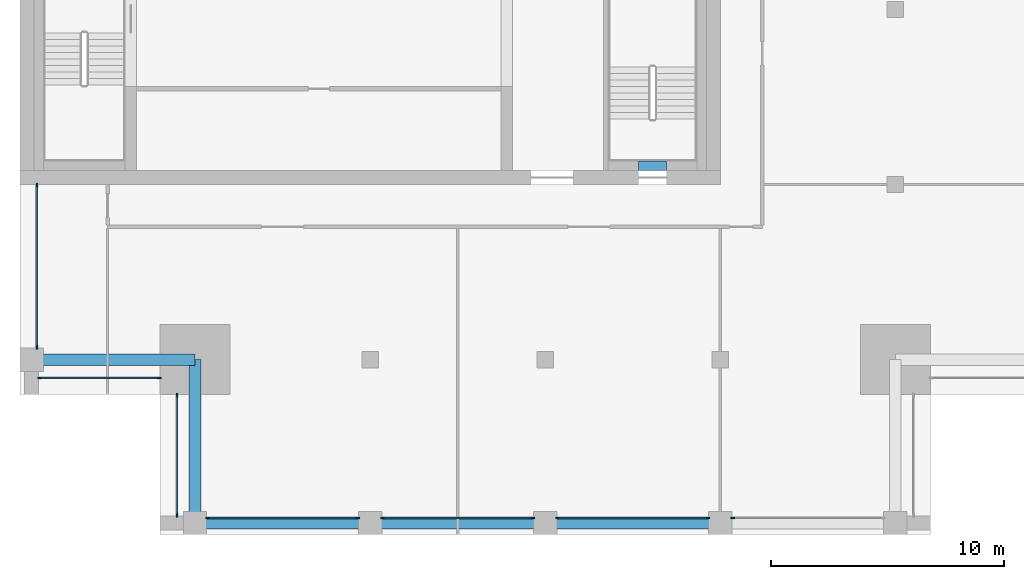
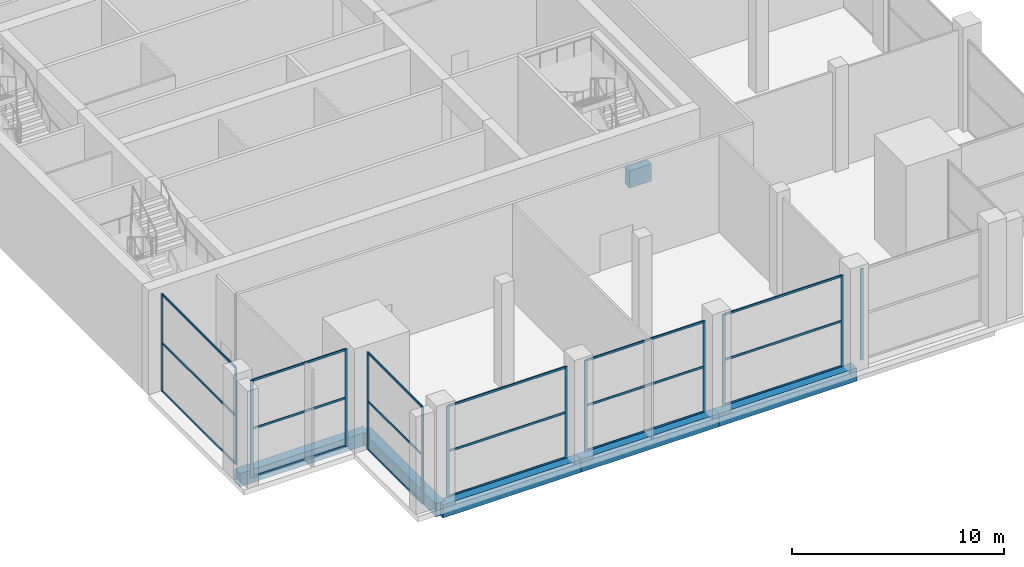
# One storey, part 2 of 15: 31 members, 6 beams, 7 elements without a shape of their own.
"""IFC4 building model written with IfcOpenShell, lengths in metres."""

from ifc_helpers import new_model, si_unit, direction, frame, origin, origin_2d, place, context, subcontext, project, spatial, rectangle, extrude, material, layer, layer_set, material_profile, profile_set, type_object, element, aggregate, save


model = new_model("IFC4")

# Units and contexts
model_context = context("Model", 3, precision=1e-05, world=origin(), true_north=direction((0.0, 1.0)))
body_context = subcontext(model_context, "Body", "Model", "MODEL_VIEW")
ifc_project = project(units=[si_unit("LENGTHUNIT", "METRE"), si_unit("AREAUNIT", "SQUARE_METRE"), si_unit("VOLUMEUNIT", "CUBIC_METRE"), si_unit("PLANEANGLEUNIT", "RADIAN"), si_unit("MASSUNIT", "GRAM", prefix="KILO")], contexts=[model_context])

# Site, building, storey
site_placement = place(None, origin())
site = spatial("IfcSite", under=ifc_project, at=site_placement, CompositionType="ELEMENT")
building_placement = place(site_placement, origin())
building = spatial("IfcBuilding", under=site, at=building_placement, Name="Tamorin Gate", CompositionType="ELEMENT")
storey_placement = place(building_placement, frame((0.0, 0.0, 308.699951171875)))
storey = spatial("IfcBuildingStorey", under=building, at=storey_placement, Name="L76", CompositionType="ELEMENT", Elevation=308.699951171875)

# Curtain wall, members
ifc_material_1 = material(Name="Aluminium mullions and transoms with clear glass", Category="aluminium")
ifc_layer = layer(ifc_material_1, 0.159912109375)
ifc_layer_set = layer_set([ifc_layer], Name="Curtain wall system CW4")
curtain_wall_type = type_object("IfcCurtainWallType", Name="Curtain wall system CW4", PredefinedType="NOTDEFINED", material=ifc_layer_set)
curtain_wall_1_placement = place(storey_placement, origin())
curtain_wall_1 = element("IfcCurtainWall", 1, at=curtain_wall_1_placement, inside=storey, type_object=curtain_wall_type, Name="Curtain wall", PredefinedType="NOTDEFINED")
ifc_material_2 = material(Name="Aluminium", Category="aluminium")
ifc_material_profile_1 = material_profile(ifc_material_2, rectangle(XDim=0.06005859375, YDim=0.159912109375, at=origin_2d()), Name="RECT 60x160")
ifc_profile_set_1 = profile_set([ifc_material_profile_1], Name="Aluminium")
member_type_1 = type_object("IfcMemberType", Name="Aluminium mullion 60x160", PredefinedType="MULLION", material=ifc_profile_set_1)
member_1_placement = place(storey_placement, frame((38.030029296875, 45.719970703125, 0.0), z_axis=(0.0, 0.0, 1.0), x_axis=(0.0, 1.0, 0.0)))
member_1 = element("IfcMember", 2, at=member_1_placement, type_object=member_type_1, Name="CW4 mullion 1", PredefinedType="MULLION", context=body_context, shape_type="SweptSolid", body=[
    extrude(rectangle(XDim=0.06005859375, YDim=0.159912109375, at=origin_2d()), origin(), (0.0, 0.0, 1.0), 5.25),
])
member_2_placement = place(storey_placement, frame((44.469970703125, 45.719970703125, 0.0), z_axis=(0.0, 0.0, 1.0), x_axis=(0.0, 1.0, 0.0)))
member_2 = element("IfcMember", 3, at=member_2_placement, type_object=member_type_1, Name="CW4 mullion 2", PredefinedType="MULLION", context=body_context, shape_type="SweptSolid", body=[
    extrude(rectangle(XDim=0.06005859375, YDim=0.159912109375, at=origin_2d()), origin(), (0.0, 0.0, 1.0), 5.25),
])

curtain_wall_2_placement = place(storey_placement, origin())
curtain_wall_2 = element("IfcCurtainWall", 4, at=curtain_wall_2_placement, inside=storey, type_object=curtain_wall_type, Name="Curtain wall", PredefinedType="NOTDEFINED")
member_3_placement = place(storey_placement, frame((45.530029296875, 45.719970703125, 0.0), z_axis=(0.0, 0.0, 1.0), x_axis=(0.0, 1.0, 0.0)))
member_3 = element("IfcMember", 5, at=member_3_placement, type_object=member_type_1, Name="CW4 mullion 1", PredefinedType="MULLION", context=body_context, shape_type="SweptSolid", body=[
    extrude(rectangle(XDim=0.06005859375, YDim=0.159912109375, at=origin_2d()), origin(), (0.0, 0.0, 1.0), 5.25),
])
member_4_placement = place(storey_placement, frame((51.969970703125, 45.719970703125, 0.0), z_axis=(0.0, 0.0, 1.0), x_axis=(0.0, 1.0, 0.0)))
member_4 = element("IfcMember", 6, at=member_4_placement, type_object=member_type_1, Name="CW4 mullion 2", PredefinedType="MULLION", context=body_context, shape_type="SweptSolid", body=[
    extrude(rectangle(XDim=0.06005859375, YDim=0.159912109375, at=origin_2d()), origin(), (0.0, 0.0, 1.0), 5.25),
])

curtain_wall_3_placement = place(storey_placement, origin())
curtain_wall_3 = element("IfcCurtainWall", 7, at=curtain_wall_3_placement, inside=storey, type_object=curtain_wall_type, Name="Curtain wall", PredefinedType="NOTDEFINED")
member_5_placement = place(storey_placement, frame((53.030029296875, 45.719970703125, 0.0), z_axis=(0.0, 0.0, 1.0), x_axis=(0.0, 1.0, 0.0)))
member_5 = element("IfcMember", 8, at=member_5_placement, type_object=member_type_1, Name="CW4 mullion 1", PredefinedType="MULLION", context=body_context, shape_type="SweptSolid", body=[
    extrude(rectangle(XDim=0.06005859375, YDim=0.159912109375, at=origin_2d()), origin(), (0.0, 0.0, 1.0), 5.25),
])
member_6_placement = place(storey_placement, frame((59.469970703125, 45.719970703125, 0.0), z_axis=(0.0, 0.0, 1.0), x_axis=(0.0, 1.0, 0.0)))
member_6 = element("IfcMember", 9, at=member_6_placement, type_object=member_type_1, Name="CW4 mullion 2", PredefinedType="MULLION", context=body_context, shape_type="SweptSolid", body=[
    extrude(rectangle(XDim=0.06005859375, YDim=0.159912109375, at=origin_2d()), origin(), (0.0, 0.0, 1.0), 5.25),
])

# Curtain wall, member
curtain_wall_4_placement = place(storey_placement, origin())
curtain_wall_4 = element("IfcCurtainWall", 10, at=curtain_wall_4_placement, inside=storey, type_object=curtain_wall_type, Name="Curtain wall", PredefinedType="NOTDEFINED")
member_7_placement = place(storey_placement, frame((60.530029296875, 45.719970703125, 0.0), z_axis=(0.0, 0.0, 1.0), x_axis=(0.0, 1.0, 0.0)))
member_7 = element("IfcMember", 11, at=member_7_placement, type_object=member_type_1, Name="CW4 mullion 1", PredefinedType="MULLION", context=body_context, shape_type="SweptSolid", body=[
    extrude(rectangle(XDim=0.06005859375, YDim=0.159912109375, at=origin_2d()), origin(), (0.0, 0.0, 1.0), 5.25),
])
aggregate(curtain_wall_4, [member_7])

# Curtain wall, members
curtain_wall_5_placement = place(storey_placement, origin())
curtain_wall_5 = element("IfcCurtainWall", 12, at=curtain_wall_5_placement, inside=storey, type_object=curtain_wall_type, Name="Curtain wall", PredefinedType="NOTDEFINED")
member_8_placement = place(storey_placement, frame((30.719970703125, 59.969970703125, 0.0), z_axis=(0.0, 0.0, 1.0), x_axis=(1.0, 0.0, 0.0)))
member_8 = element("IfcMember", 13, at=member_8_placement, type_object=member_type_1, Name="CW4 mullion 1", PredefinedType="MULLION", context=body_context, shape_type="SweptSolid", body=[
    extrude(rectangle(XDim=0.06005859375, YDim=0.159912109375, at=origin_2d()), origin(), (0.0, 0.0, 1.0), 5.60009765625),
])
member_9_placement = place(storey_placement, frame((30.719970703125, 53.030029296875, 0.0), z_axis=(0.0, 0.0, 1.0), x_axis=(1.0, 0.0, 0.0)))
member_9 = element("IfcMember", 14, at=member_9_placement, type_object=member_type_1, Name="CW4 mullion 2", PredefinedType="MULLION", context=body_context, shape_type="SweptSolid", body=[
    extrude(rectangle(XDim=0.06005859375, YDim=0.159912109375, at=origin_2d()), origin(), (0.0, 0.0, 1.0), 5.60009765625),
])

curtain_wall_6_placement = place(storey_placement, origin())
curtain_wall_6 = element("IfcCurtainWall", 15, at=curtain_wall_6_placement, inside=storey, type_object=curtain_wall_type, Name="Curtain wall", PredefinedType="NOTDEFINED")
member_10_placement = place(storey_placement, frame((30.830078125, 51.719970703125, 0.0), z_axis=(0.0, 0.0, 1.0), x_axis=(0.0, 1.0, 0.0)))
member_10 = element("IfcMember", 16, at=member_10_placement, type_object=member_type_1, Name="CW4 mullion 1", PredefinedType="MULLION", context=body_context, shape_type="SweptSolid", body=[
    extrude(rectangle(XDim=0.06005859375, YDim=0.159912109375, at=origin_2d()), origin(), (0.0, 0.0, 1.0), 5.60009765625),
])
member_11_placement = place(storey_placement, frame((35.969970703125, 51.719970703125, 0.0), z_axis=(0.0, 0.0, 1.0), x_axis=(0.0, 1.0, 0.0)))
member_11 = element("IfcMember", 17, at=member_11_placement, type_object=member_type_1, Name="CW4 mullion 2", PredefinedType="MULLION", context=body_context, shape_type="SweptSolid", body=[
    extrude(rectangle(XDim=0.06005859375, YDim=0.159912109375, at=origin_2d()), origin(), (0.0, 0.0, 1.0), 5.60009765625),
])

curtain_wall_7_placement = place(storey_placement, origin())
curtain_wall_7 = element("IfcCurtainWall", 18, at=curtain_wall_7_placement, inside=storey, type_object=curtain_wall_type, Name="Curtain wall", PredefinedType="NOTDEFINED")
member_12_placement = place(storey_placement, frame((36.719970703125, 50.969970703125, 0.0), z_axis=(0.0, 0.0, 1.0), x_axis=(1.0, 0.0, 0.0)))
member_12 = element("IfcMember", 19, at=member_12_placement, type_object=member_type_1, Name="CW4 mullion 1", PredefinedType="MULLION", context=body_context, shape_type="SweptSolid", body=[
    extrude(rectangle(XDim=0.06005859375, YDim=0.159912109375, at=origin_2d()), origin(), (0.0, 0.0, 1.0), 5.60009765625),
])
member_13_placement = place(storey_placement, frame((36.719970703125, 45.830078125, 0.0), z_axis=(0.0, 0.0, 1.0), x_axis=(1.0, 0.0, 0.0)))
member_13 = element("IfcMember", 20, at=member_13_placement, type_object=member_type_1, Name="CW4 mullion 2", PredefinedType="MULLION", context=body_context, shape_type="SweptSolid", body=[
    extrude(rectangle(XDim=0.06005859375, YDim=0.159912109375, at=origin_2d()), origin(), (0.0, 0.0, 1.0), 5.60009765625),
])

# Member
ifc_material_profile_2 = material_profile(ifc_material_2, rectangle(XDim=0.06005859375, YDim=0.1201171875, at=origin_2d()), Name="RECT 60x120")
ifc_profile_set_2 = profile_set([ifc_material_profile_2], Name="Aluminium")
member_type_2 = type_object("IfcMemberType", Name="Aluminium transom 60x120", PredefinedType="USERDEFINED", material=ifc_profile_set_2)
member_14_placement = place(storey_placement, frame((38.06005859375, 45.719970703125, 0.030029296875), z_axis=(1.0, 0.0, 0.0), x_axis=(0.0, 1.0, 0.0)))
member_14 = element("IfcMember", 21, at=member_14_placement, type_object=member_type_2, Name="CW4 transom 1.1", ObjectType="TRANSOM", PredefinedType="USERDEFINED", context=body_context, shape_type="SweptSolid", body=[
    extrude(rectangle(XDim=0.06005859375, YDim=0.1201171875, at=origin_2d()), origin(), (0.0, 0.0, 1.0), 6.3798828125),
])

member_15_placement = place(storey_placement, frame((38.06005859375, 45.719970703125, 2.625), z_axis=(1.0, 0.0, 0.0), x_axis=(0.0, 1.0, 0.0)))
member_15 = element("IfcMember", 22, at=member_15_placement, type_object=member_type_2, Name="CW4 transom 1.2", ObjectType="TRANSOM", PredefinedType="USERDEFINED", context=body_context, shape_type="SweptSolid", body=[
    extrude(rectangle(XDim=0.06005859375, YDim=0.1201171875, at=origin_2d()), origin(), (0.0, 0.0, 1.0), 6.3798828125),
])

member_16_placement = place(storey_placement, frame((38.06005859375, 45.719970703125, 5.219970703125), z_axis=(1.0, 0.0, 0.0), x_axis=(0.0, 1.0, 0.0)))
member_16 = element("IfcMember", 23, at=member_16_placement, type_object=member_type_2, Name="CW4 transom 1.3", ObjectType="TRANSOM", PredefinedType="USERDEFINED", context=body_context, shape_type="SweptSolid", body=[
    extrude(rectangle(XDim=0.06005859375, YDim=0.1201171875, at=origin_2d()), origin(), (0.0, 0.0, 1.0), 6.3798828125),
])

aggregate(curtain_wall_1, [member_1, member_2, member_14, member_15, member_16])

member_17_placement = place(storey_placement, frame((45.56005859375, 45.719970703125, 0.030029296875), z_axis=(1.0, 0.0, 0.0), x_axis=(0.0, 1.0, 0.0)))
member_17 = element("IfcMember", 24, at=member_17_placement, type_object=member_type_2, Name="CW4 transom 1.1", ObjectType="TRANSOM", PredefinedType="USERDEFINED", context=body_context, shape_type="SweptSolid", body=[
    extrude(rectangle(XDim=0.06005859375, YDim=0.1201171875, at=origin_2d()), origin(), (0.0, 0.0, 1.0), 6.3798828125),
])

member_18_placement = place(storey_placement, frame((45.56005859375, 45.719970703125, 2.625), z_axis=(1.0, 0.0, 0.0), x_axis=(0.0, 1.0, 0.0)))
member_18 = element("IfcMember", 25, at=member_18_placement, type_object=member_type_2, Name="CW4 transom 1.2", ObjectType="TRANSOM", PredefinedType="USERDEFINED", context=body_context, shape_type="SweptSolid", body=[
    extrude(rectangle(XDim=0.06005859375, YDim=0.1201171875, at=origin_2d()), origin(), (0.0, 0.0, 1.0), 6.3798828125),
])

member_19_placement = place(storey_placement, frame((45.56005859375, 45.719970703125, 5.219970703125), z_axis=(1.0, 0.0, 0.0), x_axis=(0.0, 1.0, 0.0)))
member_19 = element("IfcMember", 26, at=member_19_placement, type_object=member_type_2, Name="CW4 transom 1.3", ObjectType="TRANSOM", PredefinedType="USERDEFINED", context=body_context, shape_type="SweptSolid", body=[
    extrude(rectangle(XDim=0.06005859375, YDim=0.1201171875, at=origin_2d()), origin(), (0.0, 0.0, 1.0), 6.3798828125),
])

aggregate(curtain_wall_2, [member_3, member_4, member_17, member_18, member_19])

member_20_placement = place(storey_placement, frame((53.06005859375, 45.719970703125, 0.030029296875), z_axis=(1.0, 0.0, 0.0), x_axis=(0.0, 1.0, 0.0)))
member_20 = element("IfcMember", 27, at=member_20_placement, type_object=member_type_2, Name="CW4 transom 1.1", ObjectType="TRANSOM", PredefinedType="USERDEFINED", context=body_context, shape_type="SweptSolid", body=[
    extrude(rectangle(XDim=0.06005859375, YDim=0.1201171875, at=origin_2d()), origin(), (0.0, 0.0, 1.0), 6.3798828125),
])

member_21_placement = place(storey_placement, frame((53.06005859375, 45.719970703125, 2.625), z_axis=(1.0, 0.0, 0.0), x_axis=(0.0, 1.0, 0.0)))
member_21 = element("IfcMember", 28, at=member_21_placement, type_object=member_type_2, Name="CW4 transom 1.2", ObjectType="TRANSOM", PredefinedType="USERDEFINED", context=body_context, shape_type="SweptSolid", body=[
    extrude(rectangle(XDim=0.06005859375, YDim=0.1201171875, at=origin_2d()), origin(), (0.0, 0.0, 1.0), 6.3798828125),
])

member_22_placement = place(storey_placement, frame((53.06005859375, 45.719970703125, 5.219970703125), z_axis=(1.0, 0.0, 0.0), x_axis=(0.0, 1.0, 0.0)))
member_22 = element("IfcMember", 29, at=member_22_placement, type_object=member_type_2, Name="CW4 transom 1.3", ObjectType="TRANSOM", PredefinedType="USERDEFINED", context=body_context, shape_type="SweptSolid", body=[
    extrude(rectangle(XDim=0.06005859375, YDim=0.1201171875, at=origin_2d()), origin(), (0.0, 0.0, 1.0), 6.3798828125),
])

aggregate(curtain_wall_3, [member_5, member_6, member_20, member_21, member_22])

member_23_placement = place(storey_placement, frame((30.719970703125, 59.93994140625, 0.030029296875), z_axis=(0.0, -1.0, 0.0), x_axis=(1.0, 0.0, 0.0)))
member_23 = element("IfcMember", 30, at=member_23_placement, type_object=member_type_2, Name="CW4 transom 1.1", ObjectType="TRANSOM", PredefinedType="USERDEFINED", context=body_context, shape_type="SweptSolid", body=[
    extrude(rectangle(XDim=0.06005859375, YDim=0.1201171875, at=origin_2d()), origin(), (0.0, 0.0, 1.0), 6.8798828125),
])

member_24_placement = place(storey_placement, frame((30.719970703125, 59.93994140625, 2.800048828125), z_axis=(0.0, -1.0, 0.0), x_axis=(1.0, 0.0, 0.0)))
member_24 = element("IfcMember", 31, at=member_24_placement, type_object=member_type_2, Name="CW4 transom 1.2", ObjectType="TRANSOM", PredefinedType="USERDEFINED", context=body_context, shape_type="SweptSolid", body=[
    extrude(rectangle(XDim=0.06005859375, YDim=0.1201171875, at=origin_2d()), origin(), (0.0, 0.0, 1.0), 6.8798828125),
])

member_25_placement = place(storey_placement, frame((30.719970703125, 59.93994140625, 5.570068359375), z_axis=(0.0, -1.0, 0.0), x_axis=(1.0, 0.0, 0.0)))
member_25 = element("IfcMember", 32, at=member_25_placement, type_object=member_type_2, Name="CW4 transom 1.3", ObjectType="TRANSOM", PredefinedType="USERDEFINED", context=body_context, shape_type="SweptSolid", body=[
    extrude(rectangle(XDim=0.06005859375, YDim=0.1201171875, at=origin_2d()), origin(), (0.0, 0.0, 1.0), 6.8798828125),
])

aggregate(curtain_wall_5, [member_8, member_9, member_23, member_24, member_25])

member_26_placement = place(storey_placement, frame((30.860107421875, 51.719970703125, 0.030029296875), z_axis=(1.0, 0.0, 0.0), x_axis=(0.0, 1.0, 0.0)))
member_26 = element("IfcMember", 33, at=member_26_placement, type_object=member_type_2, Name="CW4 transom 1.1", ObjectType="TRANSOM", PredefinedType="USERDEFINED", context=body_context, shape_type="SweptSolid", body=[
    extrude(rectangle(XDim=0.06005859375, YDim=0.1201171875, at=origin_2d()), origin(), (0.0, 0.0, 1.0), 5.079833984375),
])

member_27_placement = place(storey_placement, frame((30.860107421875, 51.719970703125, 2.800048828125), z_axis=(1.0, 0.0, 0.0), x_axis=(0.0, 1.0, 0.0)))
member_27 = element("IfcMember", 34, at=member_27_placement, type_object=member_type_2, Name="CW4 transom 1.2", ObjectType="TRANSOM", PredefinedType="USERDEFINED", context=body_context, shape_type="SweptSolid", body=[
    extrude(rectangle(XDim=0.06005859375, YDim=0.1201171875, at=origin_2d()), origin(), (0.0, 0.0, 1.0), 5.079833984375),
])

member_28_placement = place(storey_placement, frame((30.860107421875, 51.719970703125, 5.570068359375), z_axis=(1.0, 0.0, 0.0), x_axis=(0.0, 1.0, 0.0)))
member_28 = element("IfcMember", 35, at=member_28_placement, type_object=member_type_2, Name="CW4 transom 1.3", ObjectType="TRANSOM", PredefinedType="USERDEFINED", context=body_context, shape_type="SweptSolid", body=[
    extrude(rectangle(XDim=0.06005859375, YDim=0.1201171875, at=origin_2d()), origin(), (0.0, 0.0, 1.0), 5.079833984375),
])

aggregate(curtain_wall_6, [member_10, member_11, member_26, member_27, member_28])

member_29_placement = place(storey_placement, frame((36.719970703125, 50.93994140625, 0.030029296875), z_axis=(0.0, -1.0, 0.0), x_axis=(1.0, 0.0, 0.0)))
member_29 = element("IfcMember", 36, at=member_29_placement, type_object=member_type_2, Name="CW4 transom 1.1", ObjectType="TRANSOM", PredefinedType="USERDEFINED", context=body_context, shape_type="SweptSolid", body=[
    extrude(rectangle(XDim=0.06005859375, YDim=0.1201171875, at=origin_2d()), origin(), (0.0, 0.0, 1.0), 5.079833984375),
])

member_30_placement = place(storey_placement, frame((36.719970703125, 50.93994140625, 2.800048828125), z_axis=(0.0, -1.0, 0.0), x_axis=(1.0, 0.0, 0.0)))
member_30 = element("IfcMember", 37, at=member_30_placement, type_object=member_type_2, Name="CW4 transom 1.2", ObjectType="TRANSOM", PredefinedType="USERDEFINED", context=body_context, shape_type="SweptSolid", body=[
    extrude(rectangle(XDim=0.06005859375, YDim=0.1201171875, at=origin_2d()), origin(), (0.0, 0.0, 1.0), 5.079833984375),
])

member_31_placement = place(storey_placement, frame((36.719970703125, 50.93994140625, 5.570068359375), z_axis=(0.0, -1.0, 0.0), x_axis=(1.0, 0.0, 0.0)))
member_31 = element("IfcMember", 38, at=member_31_placement, type_object=member_type_2, Name="CW4 transom 1.3", ObjectType="TRANSOM", PredefinedType="USERDEFINED", context=body_context, shape_type="SweptSolid", body=[
    extrude(rectangle(XDim=0.06005859375, YDim=0.1201171875, at=origin_2d()), origin(), (0.0, 0.0, 1.0), 5.079833984375),
])

aggregate(curtain_wall_7, [member_12, member_13, member_29, member_30, member_31])

# Beams
ifc_material_3 = material(Name="Concrete C50/60", Category="concrete")
ifc_material_profile_3 = material_profile(ifc_material_3, rectangle(XDim=0.5, YDim=0.75, at=origin_2d()), Name="RC 500x750")
ifc_profile_set_3 = profile_set([ifc_material_profile_3], Name="Concrete C50/60")
beam_type_1 = type_object("IfcBeamType", Name="RC spandrel 500x750 C50/60", PredefinedType="BEAM", material=ifc_profile_set_3)
for number, where, z_axis, x_axis, name in (
    (39, (37.5, 45.5, -0.375), (1.0, 0.0, 0.0), (0.0, 1.0, 0.0), "Spandrel beam L76"),
    (40, (45.0, 45.5, -0.375), (1.0, 0.0, 0.0), (0.0, 1.0, 0.0), "Spandrel beam L76"),
    (41, (52.5, 45.5, -0.375), (1.0, 0.0, 0.0), (0.0, 1.0, 0.0), "Spandrel beam L76"),
):
    element("IfcBeam", number, at=place(storey_placement, frame(where, z_axis=z_axis, x_axis=x_axis)), inside=storey, type_object=beam_type_1, Name=name, PredefinedType="BEAM", context=body_context, shape_type="SweptSolid", body=[
        extrude(rectangle(XDim=0.5, YDim=0.75, at=origin_2d()), origin(), (0.0, 0.0, 1.0), 7.5),
    ])
for number, where, z_axis, x_axis, name in (
    (42, (37.5, 52.5, -0.375), (-1.0, 0.0, 0.0), (0.0, -1.0, 0.0), "Corner tie beam L76"),
    (43, (37.5, 52.5, -0.375), (0.0, -1.0, 0.0), (1.0, 0.0, 0.0), "Corner tie beam L76"),
):
    element("IfcBeam", number, at=place(storey_placement, frame(where, z_axis=z_axis, x_axis=x_axis)), inside=storey, type_object=beam_type_1, Name=name, PredefinedType="BEAM", context=body_context, shape_type="SweptSolid", body=[
        extrude(rectangle(XDim=0.5, YDim=0.75, at=origin_2d()), origin(), (0.0, 0.0, 1.0), 7.0),
    ])
ifc_material_profile_4 = material_profile(ifc_material_3, rectangle(XDim=0.39990234375, YDim=1.0, at=origin_2d()))
ifc_profile_set_4 = profile_set([ifc_material_profile_4], Name="Concrete C50/60")
beam_type_2 = type_object("IfcBeamType", Name="Stair lintel 400x1000 C50/60", PredefinedType="BEAM", material=ifc_profile_set_4)
beam_placement = place(storey_placement, frame((56.5, 60.800048828125, 2.739990234375), z_axis=(1.0, 0.0, 0.0), x_axis=(0.0, 1.0, 0.0)))
element("IfcBeam", 44, at=beam_placement, inside=storey, type_object=beam_type_2, Name="Stair lintel", PredefinedType="BEAM", context=body_context, shape_type="SweptSolid", body=[
    extrude(rectangle(XDim=0.39990234375, YDim=1.0, at=origin_2d()), origin(), (0.0, 0.0, 1.0), 1.199951171875),
])

save(model, "model.ifc")
